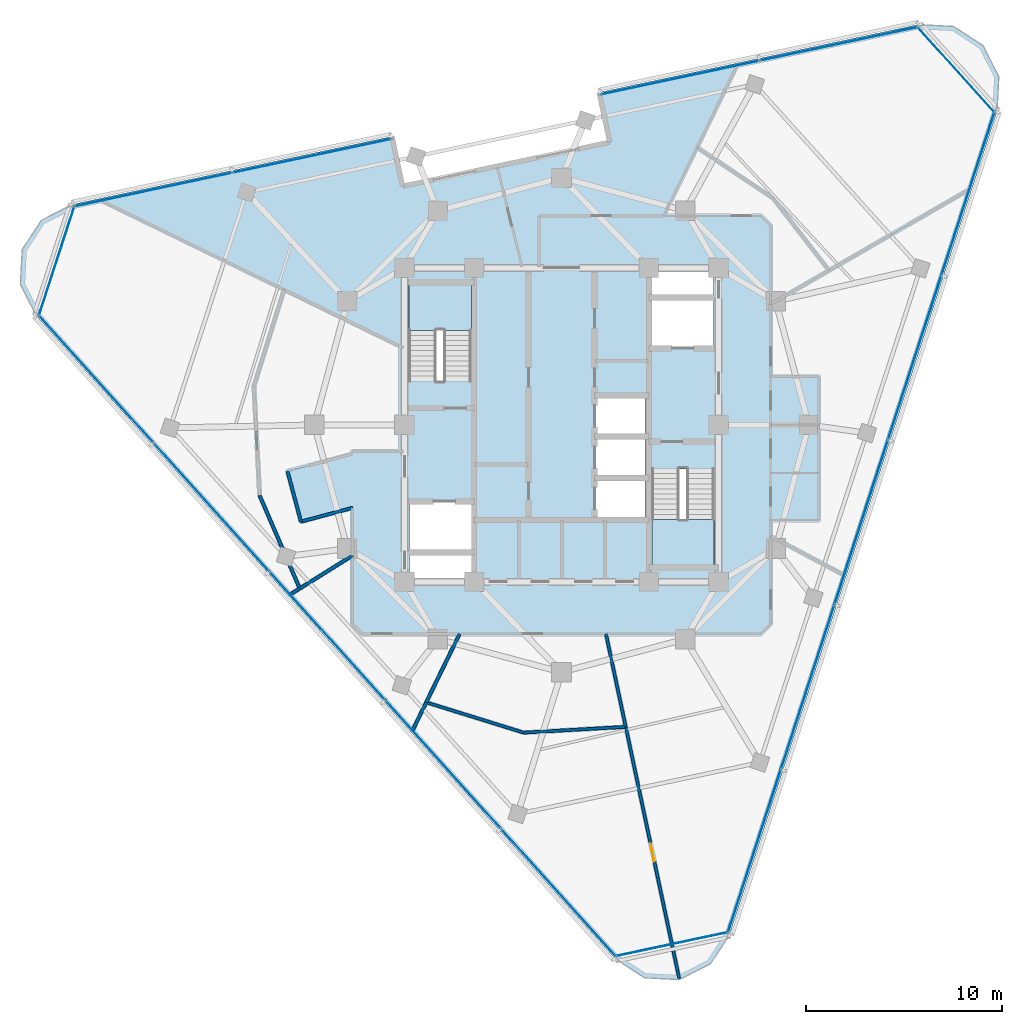
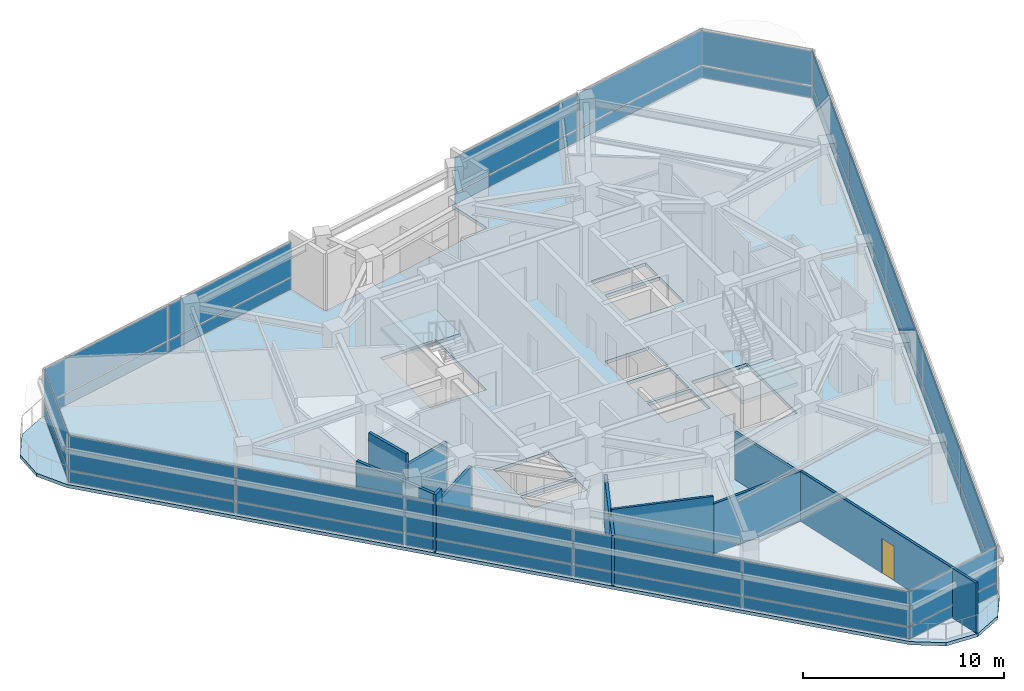
# One storey, part 7 of 15: 34 plates, 11 walls, 3 slabs, 1 door, 1 opening, 9 elements without a shape of their own.
"""IFC4 building model written with IfcOpenShell, lengths in metres."""

from ifc_helpers import new_model, si_unit, direction, frame, frame_2d, origin, origin_2d, place, context, subcontext, project, spatial, polyline, rectangle, outline, extrude, material, layer, layer_set, type_object, element, fill, aggregate, save


model = new_model("IFC4")

# Units and contexts
model_context = context("Model", 3, precision=1e-05, world=origin(), true_north=direction((0.0, 1.0)))
body_context = subcontext(model_context, "Body", "Model", "MODEL_VIEW")
ifc_project = project(units=[si_unit("LENGTHUNIT", "METRE"), si_unit("AREAUNIT", "SQUARE_METRE"), si_unit("VOLUMEUNIT", "CUBIC_METRE"), si_unit("PLANEANGLEUNIT", "RADIAN"), si_unit("MASSUNIT", "GRAM", prefix="KILO")], contexts=[model_context])

# Site, building, storey
site_placement = place(None, origin())
site = spatial("IfcSite", under=ifc_project, at=site_placement, CompositionType="ELEMENT")
building_placement = place(site_placement, origin())
building = spatial("IfcBuilding", under=site, at=building_placement, Name="Terralouvre Media Tower", CompositionType="ELEMENT")
storey_placement = place(building_placement, frame((0.0, 0.0, 305.39990234375)))
storey = spatial("IfcBuildingStorey", under=building, at=storey_placement, Name="L79", CompositionType="ELEMENT", Elevation=305.39990234375)

# Slab
ifc_material_1 = material(Name="Concrete C40/50", Category="concrete")
ifc_layer_1 = layer(ifc_material_1, 0.199951171875, Name="Composite Tower Floor Slab S-TYP200")
ifc_layer_set_1 = layer_set([ifc_layer_1], Name="Concrete C40/50")
slab_type_1 = type_object("IfcSlabType", Name="Composite Tower Floor Slab S-TYP200", PredefinedType="FLOOR", material=ifc_layer_set_1)
slab_1_placement = place(storey_placement, frame((0.0, 0.0, -0.199951171875), z_axis=(0.0, 0.0, 1.0), x_axis=(0.309016994375, 0.951056516295, 0.0)))
element("IfcSlab", 1, at=slab_1_placement, inside=storey, type_object=slab_type_1, Name="L79 Structural Floor Slab", PredefinedType="FLOOR", context=body_context, shape_type="SweptSolid", body=[
    extrude(outline(polyline([(25.0390625, -11.016357421875), (16.709228515625, 3.41162109375), (14.45751953125, 2.111572265625), (9.057373046875, 11.464599609375), (11.30908203125, 12.7646484375), (2.97900390625, 27.192626953125), (1.719970703125, 28.451904296875), (0.0, 28.91259765625), (-1.719970703125, 28.451904296875), (-2.97900390625, 27.192626953125), (-25.0390625, -11.016357421875), (-25.5, -12.736328125), (-25.0390625, -14.456298828125), (-23.780029296875, -15.715576171875), (-22.06005859375, -16.17626953125), (22.06005859375, -16.17626953125), (23.780029296875, -15.715576171875), (25.0390625, -14.456298828125), (25.5, -12.736328125), (25.0390625, -11.016357421875)]), holes=[polyline([(-7.698486328125, 2.33544921875), (-8.839599609375, 1.964599609375), (-9.813232421875, 4.96044921875), (-8.671875, 5.3310546875), (-7.698486328125, 2.33544921875)]), polyline([(-5.17822265625, 3.154296875), (-7.50830078125, 2.397216796875), (-8.481689453125, 5.39306640625), (-6.151611328125, 6.150146484375), (-5.17822265625, 3.154296875)]), polyline([(-5.483154296875, -6.618408203125), (-0.713623046875, -5.068603515625), (0.26904296875, -8.093017578125), (-4.50048828125, -9.642578125), (-5.483154296875, -6.618408203125)]), polyline([(-1.33056640625, -4.901123046875), (-3.17578125, -5.50048828125), (-3.9482421875, -3.122802734375), (-2.103271484375, -2.5234375), (-1.33056640625, -4.901123046875)]), polyline([(0.66650390625, -4.252197265625), (-1.178466796875, -4.8515625), (-1.950927734375, -2.473876953125), (-0.10595703125, -1.87451171875), (0.66650390625, -4.252197265625)]), polyline([(2.663818359375, -3.603271484375), (0.81884765625, -4.20263671875), (0.046142578125, -1.824951171875), (1.891357421875, -1.2255859375), (2.663818359375, -3.603271484375)]), polyline([(5.483154296875, 6.618408203125), (0.713623046875, 5.068603515625), (-0.26904296875, 8.093017578125), (4.50048828125, 9.642578125), (5.483154296875, 6.618408203125)]), polyline([(6.151611328125, -6.150146484375), (5.17822265625, -3.154296875), (7.50830078125, -2.397216796875), (8.481689453125, -5.39306640625), (6.151611328125, -6.150146484375)]), polyline([(8.671875, -5.3310546875), (7.698486328125, -2.33544921875), (8.839599609375, -1.964599609375), (9.813232421875, -4.96044921875), (8.671875, -5.3310546875)])]), origin(), (0.0, 0.0, 1.0), 0.199951171875),
])

# Stair, slab
ifc_material_2 = material(Name="Concrete C45/55", Category="concrete")
stair_type_1 = type_object("IfcStairType", Name="Dogleg Stair Assembly ST-01", PredefinedType="HALF_TURN_STAIR", material=ifc_material_2)
stair_1_placement = place(storey_placement, origin())
stair_1 = element("IfcStair", 2, at=stair_1_placement, inside=storey, type_object=stair_type_1, Name="L79 Core Pressurised Exit Stair ST-01", PredefinedType="HALF_TURN_STAIR")
ifc_material_3 = material(Name="Concrete C45/55", Category="concrete")
ifc_layer_2 = layer(ifc_material_3, 0.199951171875, Name="Reinforced Concrete Stair Half-Landing SL-LD1")
ifc_layer_set_2 = layer_set([ifc_layer_2], Name="Concrete C45/55")
slab_type_2 = type_object("IfcSlabType", Name="Reinforced Concrete Stair Half-Landing SL-LD1", PredefinedType="LANDING", material=ifc_layer_set_2)
slab_2_placement = place(storey_placement, frame((0.0, 0.0, 1.650146484375)))
slab_2 = element("IfcSlab", 3, at=slab_2_placement, type_object=slab_type_2, Name="ST-01 landing 1", PredefinedType="LANDING", context=body_context, shape_type="SweptSolid", body=[
    extrude(outline(polyline([(-4.60009765625, 4.820068359375), (-4.60009765625, 7.260009765625), (-7.780029296875, 7.260009765625), (-7.780029296875, 4.820068359375), (-4.60009765625, 4.820068359375)])), origin(), (0.0, 0.0, 1.0), 0.199951171875),
])
aggregate(stair_1, [slab_2])

ifc_material_4 = material(Name="Concrete C45/55", Category="concrete")
stair_type_2 = type_object("IfcStairType", Name="Dogleg Stair Assembly ST-02", PredefinedType="HALF_TURN_STAIR", material=ifc_material_4)
stair_2_placement = place(storey_placement, origin())
stair_2 = element("IfcStair", 4, at=stair_2_placement, inside=storey, type_object=stair_type_2, Name="L79 Core Pressurised Exit Stair ST-02", PredefinedType="HALF_TURN_STAIR")
slab_3_placement = place(storey_placement, frame((0.0, 0.0, 1.650146484375)))
slab_3 = element("IfcSlab", 5, at=slab_3_placement, type_object=slab_type_2, Name="ST-02 landing 1", PredefinedType="LANDING", context=body_context, shape_type="SweptSolid", body=[
    extrude(outline(polyline([(4.60009765625, -4.820068359375), (4.60009765625, -7.260009765625), (7.780029296875, -7.260009765625), (7.780029296875, -4.820068359375), (4.60009765625, -4.820068359375)])), origin(), (0.0, 0.0, 1.0), 0.199951171875),
])
aggregate(stair_2, [slab_3])

# Curtain wall, plates
ifc_material_5 = material(Name="Low-iron laminated double glazing with solar-control coating", Category="glass")
ifc_layer_3 = layer(ifc_material_5, 0.1650390625, Name="Rounded Wind-Corner Curved Glazing CW-04")
ifc_layer_set_3 = layer_set([ifc_layer_3], Name="Low-iron laminated double glazing with solar-control coating")
curtain_wall_type_1 = type_object("IfcCurtainWallType", Name="Rounded Wind-Corner Curved Glazing CW-04", PredefinedType="NOTDEFINED", material=ifc_layer_set_3)
curtain_wall_1_placement = place(storey_placement, origin())
curtain_wall_1 = element("IfcCurtainWall", 6, at=curtain_wall_1_placement, inside=storey, type_object=curtain_wall_type_1, Name="L79 Rounded Wind-Corner Curtain Wall C0", PredefinedType="NOTDEFINED")
ifc_material_6 = material(Name="Low-iron laminated double glazing with solar-control coating", Category="glass")
ifc_layer_4 = layer(ifc_material_6, 0.0400390625, Name="Rounded Corner Laminated Vision Panel CWP-03")
ifc_layer_set_4 = layer_set([ifc_layer_4], Name="Low-iron laminated double glazing with solar-control coating")
plate_type_1 = type_object("IfcPlateType", Name="Rounded Corner Laminated Vision Panel CWP-03", PredefinedType="CURTAIN_PANEL", material=ifc_layer_set_4)
plate_1_placement = place(storey_placement, frame((5.62451171875, -26.46142578125, 0.0751953125), z_axis=(0.0, 0.0, 1.0), x_axis=(0.978147609922, 0.207911647592, 0.0)))
plate_1 = element("IfcPlate", 7, at=plate_1_placement, type_object=plate_type_1, Name="CW-04 panel 1.1", PredefinedType="CURTAIN_PANEL", context=body_context, shape_type="SweptSolid", body=[
    extrude(rectangle(XDim=5.808349609375, YDim=0.035888671875, at=origin_2d()), origin(), (0.0, 0.0, 1.0), 0.6875),
])
plate_2_placement = place(storey_placement, frame((5.62451171875, -26.46142578125, 0.837646484375), z_axis=(0.0, 0.0, 1.0), x_axis=(0.978147609922, 0.207911647592, 0.0)))
plate_2 = element("IfcPlate", 8, at=plate_2_placement, type_object=plate_type_1, Name="CW-04 panel 1.2", PredefinedType="CURTAIN_PANEL", context=body_context, shape_type="SweptSolid", body=[
    extrude(rectangle(XDim=5.808349609375, YDim=0.035888671875, at=origin_2d()), origin(), (0.0, 0.0, 1.0), 2.08740234375),
])
aggregate(curtain_wall_1, [plate_1, plate_2])

curtain_wall_2_placement = place(storey_placement, origin())
curtain_wall_2 = element("IfcCurtainWall", 9, at=curtain_wall_2_placement, inside=storey, type_object=curtain_wall_type_1, Name="L79 Rounded Wind-Corner Curtain Wall C1", PredefinedType="NOTDEFINED")
plate_3_placement = place(storey_placement, frame((20.10400390625, 18.101806640625, 0.0751953125), z_axis=(0.0, 0.0, 1.0), x_axis=(-0.669130231192, 0.743145163279, 0.0)))
plate_3 = element("IfcPlate", 10, at=plate_3_placement, type_object=plate_type_1, Name="CW-04 panel 1.1", PredefinedType="CURTAIN_PANEL", context=body_context, shape_type="SweptSolid", body=[
    extrude(rectangle(XDim=5.808349609375, YDim=0.035888671875, at=origin_2d()), origin(), (0.0, 0.0, 1.0), 0.6875),
])
plate_4_placement = place(storey_placement, frame((20.10400390625, 18.101806640625, 0.837646484375), z_axis=(0.0, 0.0, 1.0), x_axis=(-0.669130231192, 0.743145163279, 0.0)))
plate_4 = element("IfcPlate", 11, at=plate_4_placement, type_object=plate_type_1, Name="CW-04 panel 1.2", PredefinedType="CURTAIN_PANEL", context=body_context, shape_type="SweptSolid", body=[
    extrude(rectangle(XDim=5.808349609375, YDim=0.035888671875, at=origin_2d()), origin(), (0.0, 0.0, 1.0), 2.08740234375),
])
aggregate(curtain_wall_2, [plate_3, plate_4])

curtain_wall_3_placement = place(storey_placement, origin())
curtain_wall_3 = element("IfcCurtainWall", 12, at=curtain_wall_3_placement, inside=storey, type_object=curtain_wall_type_1, Name="L79 Rounded Wind-Corner Curtain Wall C2", PredefinedType="NOTDEFINED")
plate_5_placement = place(storey_placement, frame((-25.728759765625, 8.359619140625, 0.0751953125), z_axis=(0.0, 0.0, 1.0), x_axis=(-0.30901654693, -0.951056661679, 0.0)))
plate_5 = element("IfcPlate", 13, at=plate_5_placement, type_object=plate_type_1, Name="CW-04 panel 1.1", PredefinedType="CURTAIN_PANEL", context=body_context, shape_type="SweptSolid", body=[
    extrude(rectangle(XDim=5.808349609375, YDim=0.035888671875, at=origin_2d()), origin(), (0.0, 0.0, 1.0), 0.6875),
])
plate_6_placement = place(storey_placement, frame((-25.728759765625, 8.359619140625, 0.837646484375), z_axis=(0.0, 0.0, 1.0), x_axis=(-0.30901654693, -0.951056661679, 0.0)))
plate_6 = element("IfcPlate", 14, at=plate_6_placement, type_object=plate_type_1, Name="CW-04 panel 1.2", PredefinedType="CURTAIN_PANEL", context=body_context, shape_type="SweptSolid", body=[
    extrude(rectangle(XDim=5.808349609375, YDim=0.035888671875, at=origin_2d()), origin(), (0.0, 0.0, 1.0), 2.08740234375),
])
aggregate(curtain_wall_3, [plate_5, plate_6])

ifc_material_7 = material(Name="Low-iron laminated double glazing with solar-control coating", Category="glass")
ifc_layer_5 = layer(ifc_material_7, 0.1650390625, Name="Faceted Glass-Point Crown Curtain Wall CW-06")
ifc_layer_set_5 = layer_set([ifc_layer_5], Name="Low-iron laminated double glazing with solar-control coating")
curtain_wall_type_2 = type_object("IfcCurtainWallType", Name="Faceted Glass-Point Crown Curtain Wall CW-06", PredefinedType="NOTDEFINED", material=ifc_layer_set_5)
curtain_wall_4_placement = place(storey_placement, origin())
curtain_wall_4 = element("IfcCurtainWall", 15, at=curtain_wall_4_placement, inside=storey, type_object=curtain_wall_type_2, Name="L79 Facade Curtain Wall F0", PredefinedType="NOTDEFINED")
ifc_material_8 = material(Name="Low-iron laminated double glazing with solar-control coating", Category="glass")
ifc_layer_6 = layer(ifc_material_8, 0.035888671875, Name="Vision Double-Glazed Unit CWP-01")
ifc_layer_set_6 = layer_set([ifc_layer_6], Name="Low-iron laminated double glazing with solar-control coating")
plate_type_2 = type_object("IfcPlateType", Name="Vision Double-Glazed Unit CWP-01", PredefinedType="CURTAIN_PANEL", material=ifc_layer_set_6)
plate_7_placement = place(storey_placement, frame((9.82275390625, -21.72802734375, 0.0751953125), z_axis=(0.0, 0.0, 1.0), x_axis=(0.309017021946, 0.951056507337, 0.0)))
plate_7 = element("IfcPlate", 16, at=plate_7_placement, type_object=plate_type_2, Name="CW-06 panel 1.1", PredefinedType="CURTAIN_PANEL", context=body_context, shape_type="SweptSolid", body=[
    extrude(rectangle(XDim=8.71142578125, YDim=0.035888671875, at=origin_2d()), origin(), (0.0, 0.0, 1.0), 0.6875),
])
plate_8_placement = place(storey_placement, frame((9.82275390625, -21.72802734375, 0.837646484375), z_axis=(0.0, 0.0, 1.0), x_axis=(0.309017021946, 0.951056507337, 0.0)))
plate_8 = element("IfcPlate", 17, at=plate_8_placement, type_object=plate_type_2, Name="CW-06 panel 1.2", PredefinedType="CURTAIN_PANEL", context=body_context, shape_type="SweptSolid", body=[
    extrude(rectangle(XDim=8.71142578125, YDim=0.035888671875, at=origin_2d()), origin(), (0.0, 0.0, 1.0), 2.08740234375),
])
plate_9_placement = place(storey_placement, frame((12.543701171875, -13.353759765625, 0.0751953125), z_axis=(0.0, 0.0, 1.0), x_axis=(0.309017021946, 0.951056507337, 0.0)))
plate_9 = element("IfcPlate", 18, at=plate_9_placement, type_object=plate_type_2, Name="CW-06 panel 2.1", PredefinedType="CURTAIN_PANEL", context=body_context, shape_type="SweptSolid", body=[
    extrude(rectangle(XDim=8.7490234375, YDim=0.035888671875, at=origin_2d()), origin(), (0.0, 0.0, 1.0), 0.6875),
])
plate_10_placement = place(storey_placement, frame((12.543701171875, -13.353759765625, 0.837646484375), z_axis=(0.0, 0.0, 1.0), x_axis=(0.309017021946, 0.951056507337, 0.0)))
plate_10 = element("IfcPlate", 19, at=plate_10_placement, type_object=plate_type_2, Name="CW-06 panel 2.2", PredefinedType="CURTAIN_PANEL", context=body_context, shape_type="SweptSolid", body=[
    extrude(rectangle(XDim=8.7490234375, YDim=0.035888671875, at=origin_2d()), origin(), (0.0, 0.0, 1.0), 2.08740234375),
])
plate_11_placement = place(storey_placement, frame((15.2705078125, -4.961669921875, 0.0751953125), z_axis=(0.0, 0.0, 1.0), x_axis=(0.309017021946, 0.951056507337, 0.0)))
plate_11 = element("IfcPlate", 20, at=plate_11_placement, type_object=plate_type_2, Name="CW-06 panel 3.1", PredefinedType="CURTAIN_PANEL", context=body_context, shape_type="SweptSolid", body=[
    extrude(rectangle(XDim=8.7490234375, YDim=0.035888671875, at=origin_2d()), origin(), (0.0, 0.0, 1.0), 0.6875),
])
plate_12_placement = place(storey_placement, frame((15.2705078125, -4.961669921875, 0.837646484375), z_axis=(0.0, 0.0, 1.0), x_axis=(0.309017021946, 0.951056507337, 0.0)))
plate_12 = element("IfcPlate", 21, at=plate_12_placement, type_object=plate_type_2, Name="CW-06 panel 3.2", PredefinedType="CURTAIN_PANEL", context=body_context, shape_type="SweptSolid", body=[
    extrude(rectangle(XDim=8.7490234375, YDim=0.035888671875, at=origin_2d()), origin(), (0.0, 0.0, 1.0), 2.08740234375),
])
plate_13_placement = place(storey_placement, frame((17.997314453125, 3.430419921875, 0.0751953125), z_axis=(0.0, 0.0, 1.0), x_axis=(0.309017021946, 0.951056507337, 0.0)))
plate_13 = element("IfcPlate", 22, at=plate_13_placement, type_object=plate_type_2, Name="CW-06 panel 4.1", PredefinedType="CURTAIN_PANEL", context=body_context, shape_type="SweptSolid", body=[
    extrude(rectangle(XDim=8.7490234375, YDim=0.035888671875, at=origin_2d()), origin(), (0.0, 0.0, 1.0), 0.6875),
])
plate_14_placement = place(storey_placement, frame((17.997314453125, 3.430419921875, 0.837646484375), z_axis=(0.0, 0.0, 1.0), x_axis=(0.309017021946, 0.951056507337, 0.0)))
plate_14 = element("IfcPlate", 23, at=plate_14_placement, type_object=plate_type_2, Name="CW-06 panel 4.2", PredefinedType="CURTAIN_PANEL", context=body_context, shape_type="SweptSolid", body=[
    extrude(rectangle(XDim=8.7490234375, YDim=0.035888671875, at=origin_2d()), origin(), (0.0, 0.0, 1.0), 2.08740234375),
])
plate_15_placement = place(storey_placement, frame((20.71826171875, 11.8046875, 0.0751953125), z_axis=(0.0, 0.0, 1.0), x_axis=(0.309017021946, 0.951056507337, 0.0)))
plate_15 = element("IfcPlate", 24, at=plate_15_placement, type_object=plate_type_2, Name="CW-06 panel 5.1", PredefinedType="CURTAIN_PANEL", context=body_context, shape_type="SweptSolid", body=[
    extrude(rectangle(XDim=8.71142578125, YDim=0.035888671875, at=origin_2d()), origin(), (0.0, 0.0, 1.0), 0.6875),
])
plate_16_placement = place(storey_placement, frame((20.71826171875, 11.8046875, 0.837646484375), z_axis=(0.0, 0.0, 1.0), x_axis=(0.309017021946, 0.951056507337, 0.0)))
plate_16 = element("IfcPlate", 25, at=plate_16_placement, type_object=plate_type_2, Name="CW-06 panel 5.2", PredefinedType="CURTAIN_PANEL", context=body_context, shape_type="SweptSolid", body=[
    extrude(rectangle(XDim=8.71142578125, YDim=0.035888671875, at=origin_2d()), origin(), (0.0, 0.0, 1.0), 2.08740234375),
])
aggregate(curtain_wall_4, [plate_7, plate_8, plate_9, plate_10, plate_11, plate_12, plate_13, plate_14, plate_15, plate_16])

curtain_wall_5_placement = place(storey_placement, origin())
curtain_wall_5 = element("IfcCurtainWall", 26, at=curtain_wall_5_placement, inside=storey, type_object=curtain_wall_type_2, Name="L79 Left Flank Curtain Wall F1", PredefinedType="NOTDEFINED")
plate_17_placement = place(storey_placement, frame((14.147216796875, 19.422119140625, 0.0751953125), z_axis=(0.0, 0.0, 1.0), x_axis=(-0.978147588229, -0.207911749648, 0.0)))
plate_17 = element("IfcPlate", 27, at=plate_17_placement, type_object=plate_type_2, Name="CW-06 panel 1.1", PredefinedType="CURTAIN_PANEL", context=body_context, shape_type="SweptSolid", body=[
    extrude(rectangle(XDim=8.217529296875, YDim=0.035888671875, at=origin_2d()), origin(), (0.0, 0.0, 1.0), 0.6875),
])
plate_18_placement = place(storey_placement, frame((14.147216796875, 19.422119140625, 0.837646484375), z_axis=(0.0, 0.0, 1.0), x_axis=(-0.978147588229, -0.207911749648, 0.0)))
plate_18 = element("IfcPlate", 28, at=plate_18_placement, type_object=plate_type_2, Name="CW-06 panel 1.2", PredefinedType="CURTAIN_PANEL", context=body_context, shape_type="SweptSolid", body=[
    extrude(rectangle(XDim=8.217529296875, YDim=0.035888671875, at=origin_2d()), origin(), (0.0, 0.0, 1.0), 2.08740234375),
])
plate_19_placement = place(storey_placement, frame((6.0361328125, 17.697998046875, 0.0751953125), z_axis=(0.0, 0.0, 1.0), x_axis=(-0.978147588229, -0.207911749648, 0.0)))
plate_19 = element("IfcPlate", 29, at=plate_19_placement, type_object=plate_type_2, Name="CW-06 panel 2.1", PredefinedType="CURTAIN_PANEL", context=body_context, shape_type="SweptSolid", body=[
    extrude(rectangle(XDim=8.217529296875, YDim=0.035888671875, at=origin_2d()), origin(), (0.0, 0.0, 1.0), 0.6875),
])
plate_20_placement = place(storey_placement, frame((6.0361328125, 17.697998046875, 0.837646484375), z_axis=(0.0, 0.0, 1.0), x_axis=(-0.978147588229, -0.207911749648, 0.0)))
plate_20 = element("IfcPlate", 30, at=plate_20_placement, type_object=plate_type_2, Name="CW-06 panel 2.2", PredefinedType="CURTAIN_PANEL", context=body_context, shape_type="SweptSolid", body=[
    extrude(rectangle(XDim=8.217529296875, YDim=0.035888671875, at=origin_2d()), origin(), (0.0, 0.0, 1.0), 2.08740234375),
])
aggregate(curtain_wall_5, [plate_17, plate_18, plate_19, plate_20])

curtain_wall_6_placement = place(storey_placement, origin())
curtain_wall_6 = element("IfcCurtainWall", 31, at=curtain_wall_6_placement, inside=storey, type_object=curtain_wall_type_2, Name="L79 Right Flank Curtain Wall F1", PredefinedType="NOTDEFINED")
plate_21_placement = place(storey_placement, frame((-12.712646484375, 13.712890625, 0.0751953125), z_axis=(0.0, 0.0, 1.0), x_axis=(-0.978147684351, -0.20791129743, 0.0)))
plate_21 = element("IfcPlate", 32, at=plate_21_placement, type_object=plate_type_2, Name="CW-06 panel 1.1", PredefinedType="CURTAIN_PANEL", context=body_context, shape_type="SweptSolid", body=[
    extrude(rectangle(XDim=8.217529296875, YDim=0.035888671875, at=origin_2d()), origin(), (0.0, 0.0, 1.0), 0.6875),
])
plate_22_placement = place(storey_placement, frame((-12.712646484375, 13.712890625, 0.837646484375), z_axis=(0.0, 0.0, 1.0), x_axis=(-0.978147684351, -0.20791129743, 0.0)))
plate_22 = element("IfcPlate", 33, at=plate_22_placement, type_object=plate_type_2, Name="CW-06 panel 1.2", PredefinedType="CURTAIN_PANEL", context=body_context, shape_type="SweptSolid", body=[
    extrude(rectangle(XDim=8.217529296875, YDim=0.035888671875, at=origin_2d()), origin(), (0.0, 0.0, 1.0), 2.08740234375),
])
plate_23_placement = place(storey_placement, frame((-20.823974609375, 11.98876953125, 0.0751953125), z_axis=(0.0, 0.0, 1.0), x_axis=(-0.978147684351, -0.20791129743, 0.0)))
plate_23 = element("IfcPlate", 34, at=plate_23_placement, type_object=plate_type_2, Name="CW-06 panel 2.1", PredefinedType="CURTAIN_PANEL", context=body_context, shape_type="SweptSolid", body=[
    extrude(rectangle(XDim=8.217529296875, YDim=0.035888671875, at=origin_2d()), origin(), (0.0, 0.0, 1.0), 0.6875),
])
plate_24_placement = place(storey_placement, frame((-20.823974609375, 11.98876953125, 0.837646484375), z_axis=(0.0, 0.0, 1.0), x_axis=(-0.978147684351, -0.20791129743, 0.0)))
plate_24 = element("IfcPlate", 35, at=plate_24_placement, type_object=plate_type_2, Name="CW-06 panel 2.2", PredefinedType="CURTAIN_PANEL", context=body_context, shape_type="SweptSolid", body=[
    extrude(rectangle(XDim=8.217529296875, YDim=0.035888671875, at=origin_2d()), origin(), (0.0, 0.0, 1.0), 2.08740234375),
])
aggregate(curtain_wall_6, [plate_21, plate_22, plate_23, plate_24])

curtain_wall_7_placement = place(storey_placement, origin())
curtain_wall_7 = element("IfcCurtainWall", 36, at=curtain_wall_7_placement, inside=storey, type_object=curtain_wall_type_2, Name="L79 Facade Curtain Wall F2", PredefinedType="NOTDEFINED")
plate_25_placement = place(storey_placement, frame((-23.728515625, 2.357177734375, 0.0751953125), z_axis=(0.0, 0.0, 1.0), x_axis=(0.669130573531, -0.743144855036, 0.0)))
plate_25 = element("IfcPlate", 37, at=plate_25_placement, type_object=plate_type_2, Name="CW-06 panel 1.1", PredefinedType="CURTAIN_PANEL", context=body_context, shape_type="SweptSolid", body=[
    extrude(rectangle(XDim=8.71142578125, YDim=0.035888671875, at=origin_2d()), origin(), (0.0, 0.0, 1.0), 0.6875),
])
plate_26_placement = place(storey_placement, frame((-23.728515625, 2.357177734375, 0.837646484375), z_axis=(0.0, 0.0, 1.0), x_axis=(0.669130573531, -0.743144855036, 0.0)))
plate_26 = element("IfcPlate", 38, at=plate_26_placement, type_object=plate_type_2, Name="CW-06 panel 1.2", PredefinedType="CURTAIN_PANEL", context=body_context, shape_type="SweptSolid", body=[
    extrude(rectangle(XDim=8.71142578125, YDim=0.035888671875, at=origin_2d()), origin(), (0.0, 0.0, 1.0), 2.08740234375),
])
plate_27_placement = place(storey_placement, frame((-17.836669921875, -4.186279296875, 0.0751953125), z_axis=(0.0, 0.0, 1.0), x_axis=(0.669130573531, -0.743144855036, 0.0)))
plate_27 = element("IfcPlate", 39, at=plate_27_placement, type_object=plate_type_2, Name="CW-06 panel 2.1", PredefinedType="CURTAIN_PANEL", context=body_context, shape_type="SweptSolid", body=[
    extrude(rectangle(XDim=8.7490234375, YDim=0.035888671875, at=origin_2d()), origin(), (0.0, 0.0, 1.0), 0.6875),
])
plate_28_placement = place(storey_placement, frame((-17.836669921875, -4.186279296875, 0.837646484375), z_axis=(0.0, 0.0, 1.0), x_axis=(0.669130573531, -0.743144855036, 0.0)))
plate_28 = element("IfcPlate", 40, at=plate_28_placement, type_object=plate_type_2, Name="CW-06 panel 2.2", PredefinedType="CURTAIN_PANEL", context=body_context, shape_type="SweptSolid", body=[
    extrude(rectangle(XDim=8.7490234375, YDim=0.035888671875, at=origin_2d()), origin(), (0.0, 0.0, 1.0), 2.08740234375),
])
plate_29_placement = place(storey_placement, frame((-11.93212890625, -10.743896484375, 0.0751953125), z_axis=(0.0, 0.0, 1.0), x_axis=(0.669130573531, -0.743144855036, 0.0)))
plate_29 = element("IfcPlate", 41, at=plate_29_placement, type_object=plate_type_2, Name="CW-06 panel 3.1", PredefinedType="CURTAIN_PANEL", context=body_context, shape_type="SweptSolid", body=[
    extrude(rectangle(XDim=8.7490234375, YDim=0.035888671875, at=origin_2d()), origin(), (0.0, 0.0, 1.0), 0.6875),
])
plate_30_placement = place(storey_placement, frame((-11.93212890625, -10.743896484375, 0.837646484375), z_axis=(0.0, 0.0, 1.0), x_axis=(0.669130573531, -0.743144855036, 0.0)))
plate_30 = element("IfcPlate", 42, at=plate_30_placement, type_object=plate_type_2, Name="CW-06 panel 3.2", PredefinedType="CURTAIN_PANEL", context=body_context, shape_type="SweptSolid", body=[
    extrude(rectangle(XDim=8.7490234375, YDim=0.035888671875, at=origin_2d()), origin(), (0.0, 0.0, 1.0), 2.08740234375),
])
plate_31_placement = place(storey_placement, frame((-6.02783203125, -17.30126953125, 0.0751953125), z_axis=(0.0, 0.0, 1.0), x_axis=(0.669130573531, -0.743144855036, 0.0)))
plate_31 = element("IfcPlate", 43, at=plate_31_placement, type_object=plate_type_2, Name="CW-06 panel 4.1", PredefinedType="CURTAIN_PANEL", context=body_context, shape_type="SweptSolid", body=[
    extrude(rectangle(XDim=8.7490234375, YDim=0.035888671875, at=origin_2d()), origin(), (0.0, 0.0, 1.0), 0.6875),
])
plate_32_placement = place(storey_placement, frame((-6.02783203125, -17.30126953125, 0.837646484375), z_axis=(0.0, 0.0, 1.0), x_axis=(0.669130573531, -0.743144855036, 0.0)))
plate_32 = element("IfcPlate", 44, at=plate_32_placement, type_object=plate_type_2, Name="CW-06 panel 4.2", PredefinedType="CURTAIN_PANEL", context=body_context, shape_type="SweptSolid", body=[
    extrude(rectangle(XDim=8.7490234375, YDim=0.035888671875, at=origin_2d()), origin(), (0.0, 0.0, 1.0), 2.08740234375),
])
plate_33_placement = place(storey_placement, frame((-0.135986328125, -23.844970703125, 0.0751953125), z_axis=(0.0, 0.0, 1.0), x_axis=(0.669130573531, -0.743144855036, 0.0)))
plate_33 = element("IfcPlate", 45, at=plate_33_placement, type_object=plate_type_2, Name="CW-06 panel 5.1", PredefinedType="CURTAIN_PANEL", context=body_context, shape_type="SweptSolid", body=[
    extrude(rectangle(XDim=8.71142578125, YDim=0.035888671875, at=origin_2d()), origin(), (0.0, 0.0, 1.0), 0.6875),
])
plate_34_placement = place(storey_placement, frame((-0.135986328125, -23.844970703125, 0.837646484375), z_axis=(0.0, 0.0, 1.0), x_axis=(0.669130573531, -0.743144855036, 0.0)))
plate_34 = element("IfcPlate", 46, at=plate_34_placement, type_object=plate_type_2, Name="CW-06 panel 5.2", PredefinedType="CURTAIN_PANEL", context=body_context, shape_type="SweptSolid", body=[
    extrude(rectangle(XDim=8.71142578125, YDim=0.035888671875, at=origin_2d()), origin(), (0.0, 0.0, 1.0), 2.08740234375),
])
aggregate(curtain_wall_7, [plate_25, plate_26, plate_27, plate_28, plate_29, plate_30, plate_31, plate_32, plate_33, plate_34])

# Walls
ifc_material_9 = material(Name="Fire-rated gypsum board drywall partition")
ifc_layer_7 = layer(ifc_material_9, 0.135009765625, Name="Newsroom Acoustic Partition PT-135")
ifc_layer_set_7 = layer_set([ifc_layer_7], Name="Fire-rated gypsum board drywall partition")
wall_type_1 = type_object("IfcWallType", Name="Newsroom Acoustic Partition PT-135", PredefinedType="PARTITIONING", material=ifc_layer_set_7)
wall_1_placement = place(storey_placement, frame((-6.89599609375, -14.138916015625, 0.0), z_axis=(0.0, 0.0, 1.0), x_axis=(0.955033449162, -0.296498079221, 0.0)))
element("IfcWall", 47, at=wall_1_placement, inside=storey, type_object=wall_type_1, Name="L79 Interior Partition 031", PredefinedType="PARTITIONING", context=body_context, shape_type="SweptSolid", body=[
    extrude(rectangle(XDim=5.203857421875, YDim=0.135009765625, at=frame_2d((2.60205078125, 0.0))), origin(), (0.0, 0.0, 1.0), 3.5),
])
wall_2_placement = place(storey_placement, frame((-1.926025390625, -15.681884765625, 0.0), z_axis=(0.0, 0.0, 1.0), x_axis=(0.998393696676, 0.056657095203, 0.0)))
element("IfcWall", 48, at=wall_2_placement, inside=storey, type_object=wall_type_1, Name="L79 Interior Partition 032", PredefinedType="PARTITIONING", context=body_context, shape_type="SweptSolid", body=[
    extrude(rectangle(XDim=5.205322265625, YDim=0.135009765625, at=frame_2d((2.6025390625, 0.0))), origin(), (0.0, 0.0, 1.0), 3.03515625),
])
wall_3_placement = place(storey_placement, frame((3.27099609375, -15.386962890625, 0.0), z_axis=(0.0, 0.0, 1.0), x_axis=(-0.207948590257, 0.978139756788, 0.0)))
element("IfcWall", 49, at=wall_3_placement, inside=storey, type_object=wall_type_1, Name="L79 Interior Partition 033", PredefinedType="PARTITIONING", context=body_context, shape_type="SweptSolid", body=[
    extrude(rectangle(XDim=4.843017578125, YDim=0.135009765625, at=frame_2d((2.42138671875, 0.0))), origin(), (0.0, 0.0, 1.0), 2.885009765625),
])

# Wall, opening, door
wall_4_placement = place(storey_placement, frame((5.99365234375, -28.19970703125, 0.0), z_axis=(0.0, 0.0, 1.0), x_axis=(-0.207854966288, 0.978159656186, 0.0)))
wall_4 = element("IfcWall", 50, at=wall_4_placement, inside=storey, type_object=wall_type_1, Name="L79 Interior Partition 034", PredefinedType="PARTITIONING", context=body_context, shape_type="SweptSolid", body=[
    extrude(rectangle(XDim=13.098876953125, YDim=0.135009765625, at=frame_2d((6.54931640625, 0.0))), origin(), (0.0, 0.0, 1.0), 3.03515625),
])
opening_placement = place(wall_4_placement, frame((6.08935546875, 0.0, 0.0)))
opening = element("IfcOpeningElement", 51, at=opening_placement, cuts=wall_4, Name="Opening FD-05-92X210", PredefinedType="OPENING", context=body_context, shape_type="SweptSolid", body=[
    extrude(rectangle(XDim=0.919921875, YDim=2.10009765625, at=frame_2d((0.4599609375, 1.050048828125))), frame((0.0, 0.077392578125, 0.0), z_axis=(0.0, -1.0, 0.0), x_axis=(1.0, 0.0, 0.0)), (0.0, 0.0, 1.0), 0.155029296875),
])
ifc_material_10 = material(Name="Galvanised steel fire-resisting leaf", Category="steel")
door_type = type_object("IfcDoorType", Name="Core Accessible Closet Fire Door FD-05 (920x2100)", OperationType="NOTDEFINED", PredefinedType="DOOR", material=ifc_material_10)
door_placement = place(opening_placement, origin())
door = element("IfcDoor", 52, at=door_placement, inside=storey, type_object=door_type, Name="L79 Vinyl and Score Music Library 4 Door", OperationType="SINGLE_SWING_RIGHT", OverallHeight=2.10009765625, OverallWidth=0.919921875, PredefinedType="DOOR", context=body_context, shape_type="SweptSolid", body=[
    extrude(rectangle(XDim=0.919921875, YDim=2.10009765625, at=frame_2d((0.4599609375, 1.050048828125))), frame((0.0, 0.02490234375, 0.0), z_axis=(0.0, -1.0, 0.0), x_axis=(1.0, 0.0, 0.0)), (0.0, 0.0, 1.0), 0.050048828125),
])
fill(opening, door)

# Walls
ifc_material_11 = material(Name="Fire-rated gypsum board drywall partition")
ifc_layer_8 = layer(ifc_material_11, 0.159912109375, Name="Studio Acoustic Rated Partition PT-160")
ifc_layer_set_8 = layer_set([ifc_layer_8], Name="Fire-rated gypsum board drywall partition")
wall_type_2 = type_object("IfcWallType", Name="Studio Acoustic Rated Partition PT-160", PredefinedType="PARTITIONING", material=ifc_layer_set_8)
wall_5_placement = place(storey_placement, frame((-13.9619140625, -2.368896484375, 0.0), z_axis=(0.0, 0.0, 1.0), x_axis=(0.258413725385, -0.966034340245, 0.0)))
element("IfcWall", 53, at=wall_5_placement, inside=storey, type_object=wall_type_2, Name="L79 Interior Partition 003", PredefinedType="PARTITIONING", context=body_context, shape_type="SweptSolid", body=[
    extrude(rectangle(XDim=2.650146484375, YDim=0.159912109375, at=frame_2d((1.3251953125, 0.0))), origin(), (0.0, 0.0, 1.0), 3.5),
])
wall_6_placement = place(storey_placement, frame((-13.277099609375, -4.928955078125, 0.0), z_axis=(0.0, 0.0, 1.0), x_axis=(0.965934830229, 0.258785439601, 0.0)))
element("IfcWall", 54, at=wall_6_placement, inside=storey, type_object=wall_type_2, Name="L79 Interior Partition 004", PredefinedType="PARTITIONING", context=body_context, shape_type="SweptSolid", body=[
    extrude(rectangle(XDim=2.719970703125, YDim=0.159912109375, at=frame_2d((1.35986328125, 0.0))), origin(), (0.0, 0.0, 1.0), 2.885009765625),
])
wall_7_placement = place(storey_placement, frame((-13.341064453125, -8.3359375, 0.0), z_axis=(0.0, 0.0, 1.0), x_axis=(0.848149563096, 0.529756848582, 0.0)))
element("IfcWall", 55, at=wall_7_placement, inside=storey, type_object=wall_type_2, Name="L79 Interior Partition 023", PredefinedType="PARTITIONING", context=body_context, shape_type="SweptSolid", body=[
    extrude(rectangle(XDim=3.173095703125, YDim=0.159912109375, at=frame_2d((1.58642578125, 0.0))), origin(), (0.0, 0.0, 1.0), 2.885009765625),
])
wall_8_placement = place(storey_placement, frame((-15.385009765625, -3.59912109375, 0.0), z_axis=(0.0, 0.0, 1.0), x_axis=(0.396191247476, -0.918168010455, 0.0)))
element("IfcWall", 56, at=wall_8_placement, inside=storey, type_object=wall_type_2, Name="L79 Interior Partition 027", PredefinedType="PARTITIONING", context=body_context, shape_type="SweptSolid", body=[
    extrude(rectangle(XDim=5.158935546875, YDim=0.159912109375, at=frame_2d((2.57958984375, 0.0))), origin(), (0.0, 0.0, 1.0), 3.03515625),
])
wall_9_placement = place(storey_placement, frame((-6.89599609375, -14.138916015625, 0.0), z_axis=(0.0, 0.0, 1.0), x_axis=(0.438412480261, 0.898773885441, 0.0)))
element("IfcWall", 57, at=wall_9_placement, inside=storey, type_object=wall_type_2, Name="L79 Interior Partition 028", PredefinedType="PARTITIONING", context=body_context, shape_type="SweptSolid", body=[
    extrude(rectangle(XDim=3.882080078125, YDim=0.159912109375, at=frame_2d((1.94091796875, 0.0))), origin(), (0.0, 0.0, 1.0), 2.885009765625),
])
wall_10_placement = place(storey_placement, frame((-7.610107421875, -15.60400390625, 0.0), z_axis=(0.0, 0.0, 1.0), x_axis=(0.438143244506, 0.898905165907, 0.0)))
element("IfcWall", 58, at=wall_10_placement, inside=storey, type_object=wall_type_2, Name="L79 Interior Partition 029", PredefinedType="PARTITIONING", context=body_context, shape_type="SweptSolid", body=[
    extrude(rectangle(XDim=1.6298828125, YDim=0.159912109375, at=frame_2d((0.81494140625, 0.0))), origin(), (0.0, 0.0, 1.0), 3.03515625),
])
wall_11_placement = place(storey_placement, frame((-13.341064453125, -8.3359375, 0.0), z_axis=(0.0, 0.0, 1.0), x_axis=(-0.847685142663, -0.530499669094, 0.0)))
element("IfcWall", 59, at=wall_11_placement, inside=storey, type_object=wall_type_2, Name="L79 Interior Partition 030", PredefinedType="PARTITIONING", context=body_context, shape_type="SweptSolid", body=[
    extrude(rectangle(XDim=0.613525390625, YDim=0.159912109375, at=frame_2d((0.306640625, 0.0))), origin(), (0.0, 0.0, 1.0), 3.5),
])

save(model, "model.ifc")
